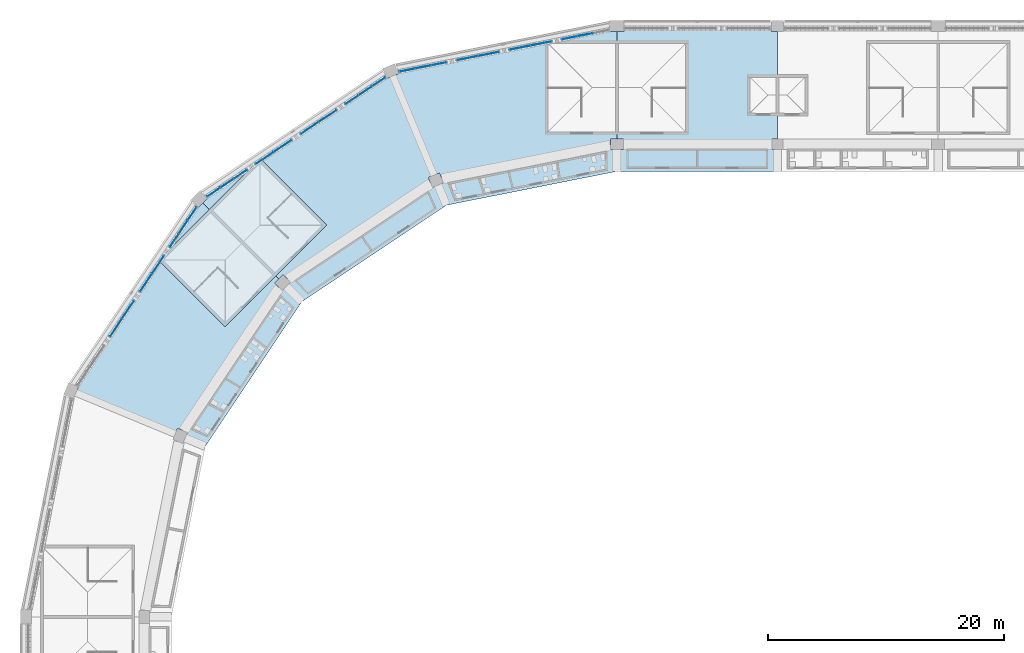
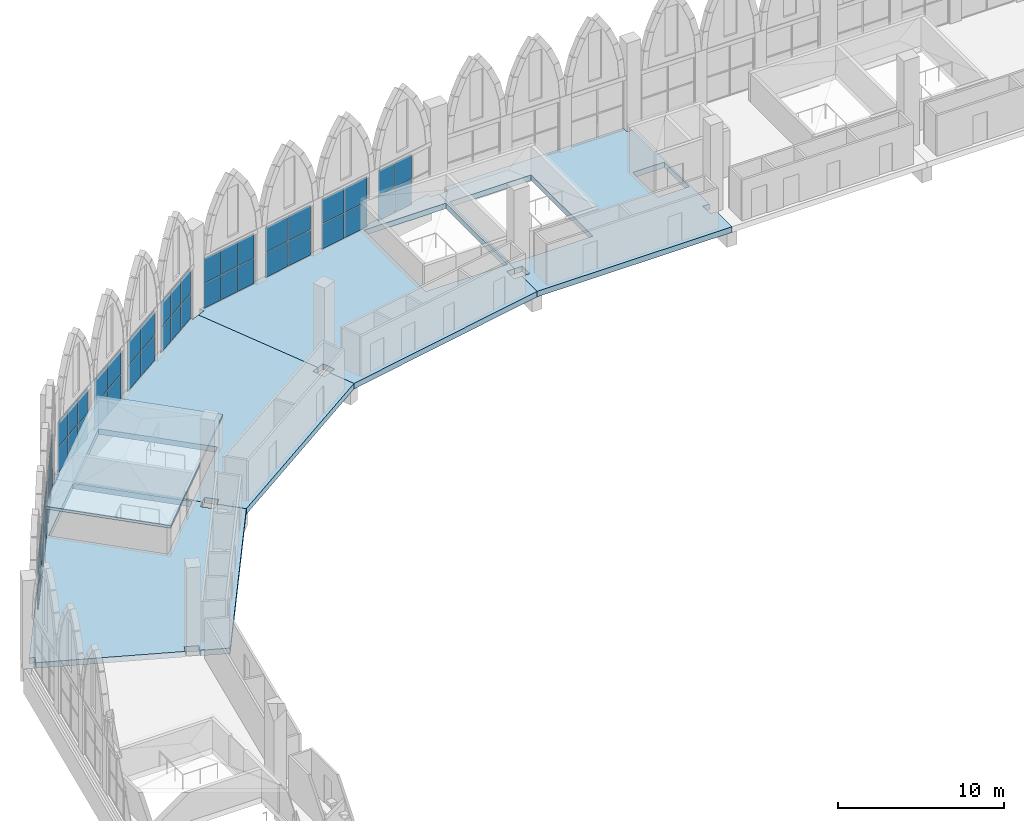
# One storey, part 58 of 130: 52 plates, 5 slabs, 11 elements without a shape of their own.
"""IFC4 building model written with IfcOpenShell, lengths in metres."""

from ifc_helpers import new_model, si_unit, direction, frame, origin, origin_2d, place, context, subcontext, project, spatial, polyline, rectangle, outline, extrude, material, layer, layer_set, type_object, element, aggregate, save


model = new_model("IFC4")

# Units and contexts
model_context = context("Model", 3, precision=1e-05, world=origin(), true_north=direction((0.0, 1.0)))
body_context = subcontext(model_context, "Body", "Model", "MODEL_VIEW")
ifc_project = project(units=[si_unit("LENGTHUNIT", "METRE"), si_unit("AREAUNIT", "SQUARE_METRE"), si_unit("VOLUMEUNIT", "CUBIC_METRE"), si_unit("PLANEANGLEUNIT", "RADIAN"), si_unit("MASSUNIT", "GRAM", prefix="KILO")], contexts=[model_context])

# Site, building, storey
site_placement = place(None, origin())
site = spatial("IfcSite", under=ifc_project, at=site_placement, CompositionType="ELEMENT")
building_placement = place(site_placement, origin())
building = spatial("IfcBuilding", under=site, at=building_placement, Name="Ogive Plaza Stadium", CompositionType="ELEMENT")
storey_placement = place(building_placement, frame((0.0, 0.0, 22.5)))
storey = spatial("IfcBuildingStorey", under=building, at=storey_placement, Name="L05", CompositionType="ELEMENT", Elevation=22.5)

# Slab
ifc_material_1 = material(Name="Concrete C40/50", Category="concrete")
ifc_layer_1 = layer(ifc_material_1, 0.199951171875)
ifc_layer_set_1 = layer_set([ifc_layer_1], Name="Concrete C40/50")
slab_type_1 = type_object("IfcSlabType", Name="Core roof slab", PredefinedType="ROOF", material=ifc_layer_set_1)
slab_1_placement = place(storey_placement, frame((0.0, 0.0, 2.10009765625)))
element("IfcSlab", 1, at=slab_1_placement, inside=storey, type_object=slab_type_1, Name="Stair core R30 roof", PredefinedType="ROOF", context=body_context, shape_type="SweptSolid", body=[
    extrude(outline(polyline([(-58.55419921875, 85.645751953125), (-64.182861328125, 91.274169921875), (-72.774169921875, 82.682861328125), (-67.145751953125, 77.05419921875), (-58.55419921875, 85.645751953125)])), origin(), (0.0, 0.0, 1.0), 0.199951171875),
])

# Curtain wall, plates
ifc_material_2 = material(Name="Bronze-anodised aluminium with laminated glass", Category="aluminium")
curtain_wall_type = type_object("IfcCurtainWallType", Name="Lancet curtain wall", PredefinedType="NOTDEFINED", material=ifc_material_2)
curtain_wall_1_placement = place(storey_placement, origin())
curtain_wall_1 = element("IfcCurtainWall", 2, at=curtain_wall_1_placement, inside=storey, type_object=curtain_wall_type, Name="CURTAIN WALL B29 L05", PredefinedType="NOTDEFINED")
ifc_material_3 = material(Name="Laminated glass", Category="glass")
ifc_layer_2 = layer(ifc_material_3, 0.028076171875)
ifc_layer_set_2 = layer_set([ifc_layer_2], Name="Laminated glass panel 28")
plate_type = type_object("IfcPlateType", Name="Laminated glass panel 28", PredefinedType="CURTAIN_PANEL", material=ifc_layer_set_2)
plate_1_placement = place(storey_placement, frame((-76.38916015625, 76.968505859375, 0.0498046875), z_axis=(0.0, 0.0, 1.0), x_axis=(0.555570233237, 0.831469612157, 0.0)))
plate_1 = element("IfcPlate", 3, at=plate_1_placement, type_object=plate_type, Name="CW-B29-L05.2 panel 1.1", PredefinedType="CURTAIN_PANEL", context=body_context, shape_type="SweptSolid", body=[
    extrude(rectangle(XDim=1.803466796875, YDim=0.028076171875, at=origin_2d()), origin(), (0.0, 0.0, 1.0), 1.824951171875),
])
plate_2_placement = place(storey_placement, frame((-76.38916015625, 76.968505859375, 1.9248046875), z_axis=(0.0, 0.0, 1.0), x_axis=(0.555570233237, 0.831469612157, 0.0)))
plate_2 = element("IfcPlate", 4, at=plate_2_placement, type_object=plate_type, Name="CW-B29-L05.2 panel 1.2", PredefinedType="CURTAIN_PANEL", context=body_context, shape_type="SweptSolid", body=[
    extrude(rectangle(XDim=1.803466796875, YDim=0.028076171875, at=origin_2d()), origin(), (0.0, 0.0, 1.0), 1.824951171875),
])
plate_3_placement = place(storey_placement, frame((-75.359375, 78.509765625, 0.0498046875), z_axis=(0.0, 0.0, 1.0), x_axis=(0.555570233237, 0.831469612157, 0.0)))
plate_3 = element("IfcPlate", 5, at=plate_3_placement, type_object=plate_type, Name="CW-B29-L05.2 panel 2.1", PredefinedType="CURTAIN_PANEL", context=body_context, shape_type="SweptSolid", body=[
    extrude(rectangle(XDim=1.803466796875, YDim=0.028076171875, at=origin_2d()), origin(), (0.0, 0.0, 1.0), 1.824951171875),
])
plate_4_placement = place(storey_placement, frame((-75.359375, 78.509765625, 1.9248046875), z_axis=(0.0, 0.0, 1.0), x_axis=(0.555570233237, 0.831469612157, 0.0)))
plate_4 = element("IfcPlate", 6, at=plate_4_placement, type_object=plate_type, Name="CW-B29-L05.2 panel 2.2", PredefinedType="CURTAIN_PANEL", context=body_context, shape_type="SweptSolid", body=[
    extrude(rectangle(XDim=1.803466796875, YDim=0.028076171875, at=origin_2d()), origin(), (0.0, 0.0, 1.0), 1.824951171875),
])
aggregate(curtain_wall_1, [plate_1, plate_2, plate_3, plate_4])

curtain_wall_2_placement = place(storey_placement, origin())
curtain_wall_2 = element("IfcCurtainWall", 7, at=curtain_wall_2_placement, inside=storey, type_object=curtain_wall_type, Name="CURTAIN WALL B29 L05", PredefinedType="NOTDEFINED")
plate_5_placement = place(storey_placement, frame((-73.857421875, 80.757568359375, 0.0498046875), z_axis=(0.0, 0.0, 1.0), x_axis=(0.555570233121, 0.831469612235, 0.0)))
plate_5 = element("IfcPlate", 8, at=plate_5_placement, type_object=plate_type, Name="CW-B29-L05.3 panel 1.1", PredefinedType="CURTAIN_PANEL", context=body_context, shape_type="SweptSolid", body=[
    extrude(rectangle(XDim=1.803466796875, YDim=0.028076171875, at=origin_2d()), origin(), (0.0, 0.0, 1.0), 1.824951171875),
])
plate_6_placement = place(storey_placement, frame((-73.857421875, 80.757568359375, 1.9248046875), z_axis=(0.0, 0.0, 1.0), x_axis=(0.555570233121, 0.831469612235, 0.0)))
plate_6 = element("IfcPlate", 9, at=plate_6_placement, type_object=plate_type, Name="CW-B29-L05.3 panel 1.2", PredefinedType="CURTAIN_PANEL", context=body_context, shape_type="SweptSolid", body=[
    extrude(rectangle(XDim=1.803466796875, YDim=0.028076171875, at=origin_2d()), origin(), (0.0, 0.0, 1.0), 1.824951171875),
])
plate_7_placement = place(storey_placement, frame((-72.82763671875, 82.298828125, 0.0498046875), z_axis=(0.0, 0.0, 1.0), x_axis=(0.555570233121, 0.831469612235, 0.0)))
plate_7 = element("IfcPlate", 10, at=plate_7_placement, type_object=plate_type, Name="CW-B29-L05.3 panel 2.1", PredefinedType="CURTAIN_PANEL", context=body_context, shape_type="SweptSolid", body=[
    extrude(rectangle(XDim=1.803466796875, YDim=0.028076171875, at=origin_2d()), origin(), (0.0, 0.0, 1.0), 1.824951171875),
])
plate_8_placement = place(storey_placement, frame((-72.82763671875, 82.298828125, 1.9248046875), z_axis=(0.0, 0.0, 1.0), x_axis=(0.555570233121, 0.831469612235, 0.0)))
plate_8 = element("IfcPlate", 11, at=plate_8_placement, type_object=plate_type, Name="CW-B29-L05.3 panel 2.2", PredefinedType="CURTAIN_PANEL", context=body_context, shape_type="SweptSolid", body=[
    extrude(rectangle(XDim=1.803466796875, YDim=0.028076171875, at=origin_2d()), origin(), (0.0, 0.0, 1.0), 1.824951171875),
])
aggregate(curtain_wall_2, [plate_5, plate_6, plate_7, plate_8])

curtain_wall_3_placement = place(storey_placement, origin())
curtain_wall_3 = element("IfcCurtainWall", 12, at=curtain_wall_3_placement, inside=storey, type_object=curtain_wall_type, Name="CURTAIN WALL B29 L05", PredefinedType="NOTDEFINED")
plate_9_placement = place(storey_placement, frame((-71.46240234375, 84.341796875, 0.0498046875), z_axis=(0.0, 0.0, 1.0), x_axis=(0.555570233005, 0.831469612312, 0.0)))
plate_9 = element("IfcPlate", 13, at=plate_9_placement, type_object=plate_type, Name="CW-B29-L05.4 panel 1.1", PredefinedType="CURTAIN_PANEL", context=body_context, shape_type="SweptSolid", body=[
    extrude(rectangle(XDim=1.310791015625, YDim=0.028076171875, at=origin_2d()), origin(), (0.0, 0.0, 1.0), 1.824951171875),
])
plate_10_placement = place(storey_placement, frame((-71.46240234375, 84.341796875, 1.9248046875), z_axis=(0.0, 0.0, 1.0), x_axis=(0.555570233005, 0.831469612312, 0.0)))
plate_10 = element("IfcPlate", 14, at=plate_10_placement, type_object=plate_type, Name="CW-B29-L05.4 panel 1.2", PredefinedType="CURTAIN_PANEL", context=body_context, shape_type="SweptSolid", body=[
    extrude(rectangle(XDim=1.310791015625, YDim=0.028076171875, at=origin_2d()), origin(), (0.0, 0.0, 1.0), 1.824951171875),
])
plate_11_placement = place(storey_placement, frame((-70.699462890625, 85.483642578125, 0.0498046875), z_axis=(0.0, 0.0, 1.0), x_axis=(0.555570233005, 0.831469612312, 0.0)))
plate_11 = element("IfcPlate", 15, at=plate_11_placement, type_object=plate_type, Name="CW-B29-L05.4 panel 2.1", PredefinedType="CURTAIN_PANEL", context=body_context, shape_type="SweptSolid", body=[
    extrude(rectangle(XDim=1.335693359375, YDim=0.028076171875, at=origin_2d()), origin(), (0.0, 0.0, 1.0), 1.824951171875),
])
plate_12_placement = place(storey_placement, frame((-70.699462890625, 85.483642578125, 1.9248046875), z_axis=(0.0, 0.0, 1.0), x_axis=(0.555570233005, 0.831469612312, 0.0)))
plate_12 = element("IfcPlate", 16, at=plate_12_placement, type_object=plate_type, Name="CW-B29-L05.4 panel 2.2", PredefinedType="CURTAIN_PANEL", context=body_context, shape_type="SweptSolid", body=[
    extrude(rectangle(XDim=1.335693359375, YDim=0.028076171875, at=origin_2d()), origin(), (0.0, 0.0, 1.0), 1.824951171875),
])
plate_13_placement = place(storey_placement, frame((-69.936767578125, 86.625244140625, 0.0498046875), z_axis=(0.0, 0.0, 1.0), x_axis=(0.555570233005, 0.831469612312, 0.0)))
plate_13 = element("IfcPlate", 17, at=plate_13_placement, type_object=plate_type, Name="CW-B29-L05.4 panel 3.1", PredefinedType="CURTAIN_PANEL", context=body_context, shape_type="SweptSolid", body=[
    extrude(rectangle(XDim=1.310791015625, YDim=0.028076171875, at=origin_2d()), origin(), (0.0, 0.0, 1.0), 1.824951171875),
])
plate_14_placement = place(storey_placement, frame((-69.936767578125, 86.625244140625, 1.9248046875), z_axis=(0.0, 0.0, 1.0), x_axis=(0.555570233005, 0.831469612312, 0.0)))
plate_14 = element("IfcPlate", 18, at=plate_14_placement, type_object=plate_type, Name="CW-B29-L05.4 panel 3.2", PredefinedType="CURTAIN_PANEL", context=body_context, shape_type="SweptSolid", body=[
    extrude(rectangle(XDim=1.310791015625, YDim=0.028076171875, at=origin_2d()), origin(), (0.0, 0.0, 1.0), 1.824951171875),
])
aggregate(curtain_wall_3, [plate_9, plate_10, plate_11, plate_12, plate_13, plate_14])

curtain_wall_4_placement = place(storey_placement, origin())
curtain_wall_4 = element("IfcCurtainWall", 19, at=curtain_wall_4_placement, inside=storey, type_object=curtain_wall_type, Name="CURTAIN WALL B30 L05", PredefinedType="NOTDEFINED")
plate_15_placement = place(storey_placement, frame((-68.125244140625, 88.436767578125, 0.0498046875), z_axis=(0.0, 0.0, 1.0), x_axis=(0.831469612312, 0.555570233005, 0.0)))
plate_15 = element("IfcPlate", 20, at=plate_15_placement, type_object=plate_type, Name="CW-B30-L05.1 panel 1.1", PredefinedType="CURTAIN_PANEL", context=body_context, shape_type="SweptSolid", body=[
    extrude(rectangle(XDim=1.310791015625, YDim=0.028076171875, at=origin_2d()), origin(), (0.0, 0.0, 1.0), 1.824951171875),
])
plate_16_placement = place(storey_placement, frame((-68.125244140625, 88.436767578125, 1.9248046875), z_axis=(0.0, 0.0, 1.0), x_axis=(0.831469612312, 0.555570233005, 0.0)))
plate_16 = element("IfcPlate", 21, at=plate_16_placement, type_object=plate_type, Name="CW-B30-L05.1 panel 1.2", PredefinedType="CURTAIN_PANEL", context=body_context, shape_type="SweptSolid", body=[
    extrude(rectangle(XDim=1.310791015625, YDim=0.028076171875, at=origin_2d()), origin(), (0.0, 0.0, 1.0), 1.824951171875),
])
plate_17_placement = place(storey_placement, frame((-66.983642578125, 89.199462890625, 0.0498046875), z_axis=(0.0, 0.0, 1.0), x_axis=(0.831469612312, 0.555570233005, 0.0)))
plate_17 = element("IfcPlate", 22, at=plate_17_placement, type_object=plate_type, Name="CW-B30-L05.1 panel 2.1", PredefinedType="CURTAIN_PANEL", context=body_context, shape_type="SweptSolid", body=[
    extrude(rectangle(XDim=1.335693359375, YDim=0.028076171875, at=origin_2d()), origin(), (0.0, 0.0, 1.0), 1.824951171875),
])
plate_18_placement = place(storey_placement, frame((-66.983642578125, 89.199462890625, 1.9248046875), z_axis=(0.0, 0.0, 1.0), x_axis=(0.831469612312, 0.555570233005, 0.0)))
plate_18 = element("IfcPlate", 23, at=plate_18_placement, type_object=plate_type, Name="CW-B30-L05.1 panel 2.2", PredefinedType="CURTAIN_PANEL", context=body_context, shape_type="SweptSolid", body=[
    extrude(rectangle(XDim=1.335693359375, YDim=0.028076171875, at=origin_2d()), origin(), (0.0, 0.0, 1.0), 1.824951171875),
])
plate_19_placement = place(storey_placement, frame((-65.841796875, 89.96240234375, 0.0498046875), z_axis=(0.0, 0.0, 1.0), x_axis=(0.831469612312, 0.555570233005, 0.0)))
plate_19 = element("IfcPlate", 24, at=plate_19_placement, type_object=plate_type, Name="CW-B30-L05.1 panel 3.1", PredefinedType="CURTAIN_PANEL", context=body_context, shape_type="SweptSolid", body=[
    extrude(rectangle(XDim=1.310791015625, YDim=0.028076171875, at=origin_2d()), origin(), (0.0, 0.0, 1.0), 1.824951171875),
])
plate_20_placement = place(storey_placement, frame((-65.841796875, 89.96240234375, 1.9248046875), z_axis=(0.0, 0.0, 1.0), x_axis=(0.831469612312, 0.555570233005, 0.0)))
plate_20 = element("IfcPlate", 25, at=plate_20_placement, type_object=plate_type, Name="CW-B30-L05.1 panel 3.2", PredefinedType="CURTAIN_PANEL", context=body_context, shape_type="SweptSolid", body=[
    extrude(rectangle(XDim=1.310791015625, YDim=0.028076171875, at=origin_2d()), origin(), (0.0, 0.0, 1.0), 1.824951171875),
])
aggregate(curtain_wall_4, [plate_15, plate_16, plate_17, plate_18, plate_19, plate_20])

curtain_wall_5_placement = place(storey_placement, origin())
curtain_wall_5 = element("IfcCurtainWall", 26, at=curtain_wall_5_placement, inside=storey, type_object=curtain_wall_type, Name="CURTAIN WALL B30 L05", PredefinedType="NOTDEFINED")
plate_21_placement = place(storey_placement, frame((-63.798828125, 91.32763671875, 0.0498046875), z_axis=(0.0, 0.0, 1.0), x_axis=(0.831469612235, 0.555570233121, 0.0)))
plate_21 = element("IfcPlate", 27, at=plate_21_placement, type_object=plate_type, Name="CW-B30-L05.2 panel 1.1", PredefinedType="CURTAIN_PANEL", context=body_context, shape_type="SweptSolid", body=[
    extrude(rectangle(XDim=1.803466796875, YDim=0.028076171875, at=origin_2d()), origin(), (0.0, 0.0, 1.0), 1.824951171875),
])
plate_22_placement = place(storey_placement, frame((-63.798828125, 91.32763671875, 1.9248046875), z_axis=(0.0, 0.0, 1.0), x_axis=(0.831469612235, 0.555570233121, 0.0)))
plate_22 = element("IfcPlate", 28, at=plate_22_placement, type_object=plate_type, Name="CW-B30-L05.2 panel 1.2", PredefinedType="CURTAIN_PANEL", context=body_context, shape_type="SweptSolid", body=[
    extrude(rectangle(XDim=1.803466796875, YDim=0.028076171875, at=origin_2d()), origin(), (0.0, 0.0, 1.0), 1.824951171875),
])
plate_23_placement = place(storey_placement, frame((-62.257568359375, 92.357421875, 0.0498046875), z_axis=(0.0, 0.0, 1.0), x_axis=(0.831469612235, 0.555570233121, 0.0)))
plate_23 = element("IfcPlate", 29, at=plate_23_placement, type_object=plate_type, Name="CW-B30-L05.2 panel 2.1", PredefinedType="CURTAIN_PANEL", context=body_context, shape_type="SweptSolid", body=[
    extrude(rectangle(XDim=1.803466796875, YDim=0.028076171875, at=origin_2d()), origin(), (0.0, 0.0, 1.0), 1.824951171875),
])
plate_24_placement = place(storey_placement, frame((-62.257568359375, 92.357421875, 1.9248046875), z_axis=(0.0, 0.0, 1.0), x_axis=(0.831469612235, 0.555570233121, 0.0)))
plate_24 = element("IfcPlate", 30, at=plate_24_placement, type_object=plate_type, Name="CW-B30-L05.2 panel 2.2", PredefinedType="CURTAIN_PANEL", context=body_context, shape_type="SweptSolid", body=[
    extrude(rectangle(XDim=1.803466796875, YDim=0.028076171875, at=origin_2d()), origin(), (0.0, 0.0, 1.0), 1.824951171875),
])
aggregate(curtain_wall_5, [plate_21, plate_22, plate_23, plate_24])

curtain_wall_6_placement = place(storey_placement, origin())
curtain_wall_6 = element("IfcCurtainWall", 31, at=curtain_wall_6_placement, inside=storey, type_object=curtain_wall_type, Name="CURTAIN WALL B30 L05", PredefinedType="NOTDEFINED")
plate_25_placement = place(storey_placement, frame((-60.009765625, 93.859375, 0.0498046875), z_axis=(0.0, 0.0, 1.0), x_axis=(0.831469612157, 0.555570233237, 0.0)))
plate_25 = element("IfcPlate", 32, at=plate_25_placement, type_object=plate_type, Name="CW-B30-L05.3 panel 1.1", PredefinedType="CURTAIN_PANEL", context=body_context, shape_type="SweptSolid", body=[
    extrude(rectangle(XDim=1.803466796875, YDim=0.028076171875, at=origin_2d()), origin(), (0.0, 0.0, 1.0), 1.824951171875),
])
plate_26_placement = place(storey_placement, frame((-60.009765625, 93.859375, 1.9248046875), z_axis=(0.0, 0.0, 1.0), x_axis=(0.831469612157, 0.555570233237, 0.0)))
plate_26 = element("IfcPlate", 33, at=plate_26_placement, type_object=plate_type, Name="CW-B30-L05.3 panel 1.2", PredefinedType="CURTAIN_PANEL", context=body_context, shape_type="SweptSolid", body=[
    extrude(rectangle(XDim=1.803466796875, YDim=0.028076171875, at=origin_2d()), origin(), (0.0, 0.0, 1.0), 1.824951171875),
])
plate_27_placement = place(storey_placement, frame((-58.468505859375, 94.88916015625, 0.0498046875), z_axis=(0.0, 0.0, 1.0), x_axis=(0.831469612157, 0.555570233237, 0.0)))
plate_27 = element("IfcPlate", 34, at=plate_27_placement, type_object=plate_type, Name="CW-B30-L05.3 panel 2.1", PredefinedType="CURTAIN_PANEL", context=body_context, shape_type="SweptSolid", body=[
    extrude(rectangle(XDim=1.803466796875, YDim=0.028076171875, at=origin_2d()), origin(), (0.0, 0.0, 1.0), 1.824951171875),
])
plate_28_placement = place(storey_placement, frame((-58.468505859375, 94.88916015625, 1.9248046875), z_axis=(0.0, 0.0, 1.0), x_axis=(0.831469612157, 0.555570233237, 0.0)))
plate_28 = element("IfcPlate", 35, at=plate_28_placement, type_object=plate_type, Name="CW-B30-L05.3 panel 2.2", PredefinedType="CURTAIN_PANEL", context=body_context, shape_type="SweptSolid", body=[
    extrude(rectangle(XDim=1.803466796875, YDim=0.028076171875, at=origin_2d()), origin(), (0.0, 0.0, 1.0), 1.824951171875),
])
aggregate(curtain_wall_6, [plate_25, plate_26, plate_27, plate_28])

curtain_wall_7_placement = place(storey_placement, origin())
curtain_wall_7 = element("IfcCurtainWall", 36, at=curtain_wall_7_placement, inside=storey, type_object=curtain_wall_type, Name="CURTAIN WALL B30 L05", PredefinedType="NOTDEFINED")
plate_29_placement = place(storey_placement, frame((-56.425537109375, 96.254150390625, 0.0498046875), z_axis=(0.0, 0.0, 1.0), x_axis=(0.83146961239, 0.555570232889, 0.0)))
plate_29 = element("IfcPlate", 37, at=plate_29_placement, type_object=plate_type, Name="CW-B30-L05.4 panel 1.1", PredefinedType="CURTAIN_PANEL", context=body_context, shape_type="SweptSolid", body=[
    extrude(rectangle(XDim=1.310791015625, YDim=0.028076171875, at=origin_2d()), origin(), (0.0, 0.0, 1.0), 1.824951171875),
])
plate_30_placement = place(storey_placement, frame((-56.425537109375, 96.254150390625, 1.9248046875), z_axis=(0.0, 0.0, 1.0), x_axis=(0.83146961239, 0.555570232889, 0.0)))
plate_30 = element("IfcPlate", 38, at=plate_30_placement, type_object=plate_type, Name="CW-B30-L05.4 panel 1.2", PredefinedType="CURTAIN_PANEL", context=body_context, shape_type="SweptSolid", body=[
    extrude(rectangle(XDim=1.310791015625, YDim=0.028076171875, at=origin_2d()), origin(), (0.0, 0.0, 1.0), 1.824951171875),
])
plate_31_placement = place(storey_placement, frame((-55.28369140625, 97.01708984375, 0.0498046875), z_axis=(0.0, 0.0, 1.0), x_axis=(0.83146961239, 0.555570232889, 0.0)))
plate_31 = element("IfcPlate", 39, at=plate_31_placement, type_object=plate_type, Name="CW-B30-L05.4 panel 2.1", PredefinedType="CURTAIN_PANEL", context=body_context, shape_type="SweptSolid", body=[
    extrude(rectangle(XDim=1.335693359375, YDim=0.028076171875, at=origin_2d()), origin(), (0.0, 0.0, 1.0), 1.824951171875),
])
plate_32_placement = place(storey_placement, frame((-55.28369140625, 97.01708984375, 1.9248046875), z_axis=(0.0, 0.0, 1.0), x_axis=(0.83146961239, 0.555570232889, 0.0)))
plate_32 = element("IfcPlate", 40, at=plate_32_placement, type_object=plate_type, Name="CW-B30-L05.4 panel 2.2", PredefinedType="CURTAIN_PANEL", context=body_context, shape_type="SweptSolid", body=[
    extrude(rectangle(XDim=1.335693359375, YDim=0.028076171875, at=origin_2d()), origin(), (0.0, 0.0, 1.0), 1.824951171875),
])
plate_33_placement = place(storey_placement, frame((-54.141845703125, 97.780029296875, 0.0498046875), z_axis=(0.0, 0.0, 1.0), x_axis=(0.83146961239, 0.555570232889, 0.0)))
plate_33 = element("IfcPlate", 41, at=plate_33_placement, type_object=plate_type, Name="CW-B30-L05.4 panel 3.1", PredefinedType="CURTAIN_PANEL", context=body_context, shape_type="SweptSolid", body=[
    extrude(rectangle(XDim=1.310791015625, YDim=0.028076171875, at=origin_2d()), origin(), (0.0, 0.0, 1.0), 1.824951171875),
])
plate_34_placement = place(storey_placement, frame((-54.141845703125, 97.780029296875, 1.9248046875), z_axis=(0.0, 0.0, 1.0), x_axis=(0.83146961239, 0.555570232889, 0.0)))
plate_34 = element("IfcPlate", 42, at=plate_34_placement, type_object=plate_type, Name="CW-B30-L05.4 panel 3.2", PredefinedType="CURTAIN_PANEL", context=body_context, shape_type="SweptSolid", body=[
    extrude(rectangle(XDim=1.310791015625, YDim=0.028076171875, at=origin_2d()), origin(), (0.0, 0.0, 1.0), 1.824951171875),
])
aggregate(curtain_wall_7, [plate_29, plate_30, plate_31, plate_32, plate_33, plate_34])

curtain_wall_8_placement = place(storey_placement, origin())
curtain_wall_8 = element("IfcCurtainWall", 43, at=curtain_wall_8_placement, inside=storey, type_object=curtain_wall_type, Name="CURTAIN WALL B31 L05", PredefinedType="NOTDEFINED")
plate_35_placement = place(storey_placement, frame((-51.7294921875, 98.76953125, 0.0498046875), z_axis=(0.0, 0.0, 1.0), x_axis=(0.980785280403, 0.195090322016, 0.0)))
plate_35 = element("IfcPlate", 44, at=plate_35_placement, type_object=plate_type, Name="CW-B31-L05.1 panel 1.1", PredefinedType="CURTAIN_PANEL", context=body_context, shape_type="SweptSolid", body=[
    extrude(rectangle(XDim=1.30224609375, YDim=0.028076171875, at=origin_2d()), origin(), (0.0, 0.0, 1.0), 1.824951171875),
])
plate_36_placement = place(storey_placement, frame((-51.7294921875, 98.76953125, 1.9248046875), z_axis=(0.0, 0.0, 1.0), x_axis=(0.980785280403, 0.195090322016, 0.0)))
plate_36 = element("IfcPlate", 45, at=plate_36_placement, type_object=plate_type, Name="CW-B31-L05.1 panel 1.2", PredefinedType="CURTAIN_PANEL", context=body_context, shape_type="SweptSolid", body=[
    extrude(rectangle(XDim=1.30224609375, YDim=0.028076171875, at=origin_2d()), origin(), (0.0, 0.0, 1.0), 1.824951171875),
])
plate_37_placement = place(storey_placement, frame((-50.39111328125, 99.03564453125, 0.0498046875), z_axis=(0.0, 0.0, 1.0), x_axis=(0.980785280403, 0.195090322016, 0.0)))
plate_37 = element("IfcPlate", 46, at=plate_37_placement, type_object=plate_type, Name="CW-B31-L05.1 panel 2.1", PredefinedType="CURTAIN_PANEL", context=body_context, shape_type="SweptSolid", body=[
    extrude(rectangle(XDim=1.3271484375, YDim=0.028076171875, at=origin_2d()), origin(), (0.0, 0.0, 1.0), 1.824951171875),
])
plate_38_placement = place(storey_placement, frame((-50.39111328125, 99.03564453125, 1.9248046875), z_axis=(0.0, 0.0, 1.0), x_axis=(0.980785280403, 0.195090322016, 0.0)))
plate_38 = element("IfcPlate", 47, at=plate_38_placement, type_object=plate_type, Name="CW-B31-L05.1 panel 2.2", PredefinedType="CURTAIN_PANEL", context=body_context, shape_type="SweptSolid", body=[
    extrude(rectangle(XDim=1.3271484375, YDim=0.028076171875, at=origin_2d()), origin(), (0.0, 0.0, 1.0), 1.824951171875),
])
plate_39_placement = place(storey_placement, frame((-49.052490234375, 99.302001953125, 0.0498046875), z_axis=(0.0, 0.0, 1.0), x_axis=(0.980785280403, 0.195090322016, 0.0)))
plate_39 = element("IfcPlate", 48, at=plate_39_placement, type_object=plate_type, Name="CW-B31-L05.1 panel 3.1", PredefinedType="CURTAIN_PANEL", context=body_context, shape_type="SweptSolid", body=[
    extrude(rectangle(XDim=1.30224609375, YDim=0.028076171875, at=origin_2d()), origin(), (0.0, 0.0, 1.0), 1.824951171875),
])
plate_40_placement = place(storey_placement, frame((-49.052490234375, 99.302001953125, 1.9248046875), z_axis=(0.0, 0.0, 1.0), x_axis=(0.980785280403, 0.195090322016, 0.0)))
plate_40 = element("IfcPlate", 49, at=plate_40_placement, type_object=plate_type, Name="CW-B31-L05.1 panel 3.2", PredefinedType="CURTAIN_PANEL", context=body_context, shape_type="SweptSolid", body=[
    extrude(rectangle(XDim=1.30224609375, YDim=0.028076171875, at=origin_2d()), origin(), (0.0, 0.0, 1.0), 1.824951171875),
])
aggregate(curtain_wall_8, [plate_35, plate_36, plate_37, plate_38, plate_39, plate_40])

curtain_wall_9_placement = place(storey_placement, origin())
curtain_wall_9 = element("IfcCurtainWall", 50, at=curtain_wall_9_placement, inside=storey, type_object=curtain_wall_type, Name="CURTAIN WALL B31 L05", PredefinedType="NOTDEFINED")
plate_41_placement = place(storey_placement, frame((-46.653076171875, 99.779296875, 0.0498046875), z_axis=(0.0, 0.0, 1.0), x_axis=(0.980785280417, 0.195090321948, 0.0)))
plate_41 = element("IfcPlate", 51, at=plate_41_placement, type_object=plate_type, Name="CW-B31-L05.2 panel 1.1", PredefinedType="CURTAIN_PANEL", context=body_context, shape_type="SweptSolid", body=[
    extrude(rectangle(XDim=1.790771484375, YDim=0.028076171875, at=origin_2d()), origin(), (0.0, 0.0, 1.0), 1.824951171875),
])
plate_42_placement = place(storey_placement, frame((-46.653076171875, 99.779296875, 1.9248046875), z_axis=(0.0, 0.0, 1.0), x_axis=(0.980785280417, 0.195090321948, 0.0)))
plate_42 = element("IfcPlate", 52, at=plate_42_placement, type_object=plate_type, Name="CW-B31-L05.2 panel 1.2", PredefinedType="CURTAIN_PANEL", context=body_context, shape_type="SweptSolid", body=[
    extrude(rectangle(XDim=1.790771484375, YDim=0.028076171875, at=origin_2d()), origin(), (0.0, 0.0, 1.0), 1.824951171875),
])
plate_43_placement = place(storey_placement, frame((-44.84765625, 100.138427734375, 0.0498046875), z_axis=(0.0, 0.0, 1.0), x_axis=(0.980785280417, 0.195090321948, 0.0)))
plate_43 = element("IfcPlate", 53, at=plate_43_placement, type_object=plate_type, Name="CW-B31-L05.2 panel 2.1", PredefinedType="CURTAIN_PANEL", context=body_context, shape_type="SweptSolid", body=[
    extrude(rectangle(XDim=1.790771484375, YDim=0.028076171875, at=origin_2d()), origin(), (0.0, 0.0, 1.0), 1.824951171875),
])
plate_44_placement = place(storey_placement, frame((-44.84765625, 100.138427734375, 1.9248046875), z_axis=(0.0, 0.0, 1.0), x_axis=(0.980785280417, 0.195090321948, 0.0)))
plate_44 = element("IfcPlate", 54, at=plate_44_placement, type_object=plate_type, Name="CW-B31-L05.2 panel 2.2", PredefinedType="CURTAIN_PANEL", context=body_context, shape_type="SweptSolid", body=[
    extrude(rectangle(XDim=1.790771484375, YDim=0.028076171875, at=origin_2d()), origin(), (0.0, 0.0, 1.0), 1.824951171875),
])
aggregate(curtain_wall_9, [plate_41, plate_42, plate_43, plate_44])

curtain_wall_10_placement = place(storey_placement, origin())
curtain_wall_10 = element("IfcCurtainWall", 55, at=curtain_wall_10_placement, inside=storey, type_object=curtain_wall_type, Name="CURTAIN WALL B31 L05", PredefinedType="NOTDEFINED")
plate_45_placement = place(storey_placement, frame((-42.20849609375, 100.663330078125, 0.0498046875), z_axis=(0.0, 0.0, 1.0), x_axis=(0.980785280417, 0.195090321948, 0.0)))
plate_45 = element("IfcPlate", 56, at=plate_45_placement, type_object=plate_type, Name="CW-B31-L05.3 panel 1.1", PredefinedType="CURTAIN_PANEL", context=body_context, shape_type="SweptSolid", body=[
    extrude(rectangle(XDim=1.790771484375, YDim=0.028076171875, at=origin_2d()), origin(), (0.0, 0.0, 1.0), 1.824951171875),
])
plate_46_placement = place(storey_placement, frame((-42.20849609375, 100.663330078125, 1.9248046875), z_axis=(0.0, 0.0, 1.0), x_axis=(0.980785280417, 0.195090321948, 0.0)))
plate_46 = element("IfcPlate", 57, at=plate_46_placement, type_object=plate_type, Name="CW-B31-L05.3 panel 1.2", PredefinedType="CURTAIN_PANEL", context=body_context, shape_type="SweptSolid", body=[
    extrude(rectangle(XDim=1.790771484375, YDim=0.028076171875, at=origin_2d()), origin(), (0.0, 0.0, 1.0), 1.824951171875),
])
plate_47_placement = place(storey_placement, frame((-40.403076171875, 101.0224609375, 0.0498046875), z_axis=(0.0, 0.0, 1.0), x_axis=(0.980785280417, 0.195090321948, 0.0)))
plate_47 = element("IfcPlate", 58, at=plate_47_placement, type_object=plate_type, Name="CW-B31-L05.3 panel 2.1", PredefinedType="CURTAIN_PANEL", context=body_context, shape_type="SweptSolid", body=[
    extrude(rectangle(XDim=1.790771484375, YDim=0.028076171875, at=origin_2d()), origin(), (0.0, 0.0, 1.0), 1.824951171875),
])
plate_48_placement = place(storey_placement, frame((-40.403076171875, 101.0224609375, 1.9248046875), z_axis=(0.0, 0.0, 1.0), x_axis=(0.980785280417, 0.195090321948, 0.0)))
plate_48 = element("IfcPlate", 59, at=plate_48_placement, type_object=plate_type, Name="CW-B31-L05.3 panel 2.2", PredefinedType="CURTAIN_PANEL", context=body_context, shape_type="SweptSolid", body=[
    extrude(rectangle(XDim=1.790771484375, YDim=0.028076171875, at=origin_2d()), origin(), (0.0, 0.0, 1.0), 1.824951171875),
])
aggregate(curtain_wall_10, [plate_45, plate_46, plate_47, plate_48])

curtain_wall_11_placement = place(storey_placement, origin())
curtain_wall_11 = element("IfcCurtainWall", 60, at=curtain_wall_11_placement, inside=storey, type_object=curtain_wall_type, Name="CURTAIN WALL B31 L05", PredefinedType="NOTDEFINED")
plate_49_placement = place(storey_placement, frame((-38.003662109375, 101.499755859375, 0.0498046875), z_axis=(0.0, 0.0, 1.0), x_axis=(0.980785280403, 0.195090322016, 0.0)))
plate_49 = element("IfcPlate", 61, at=plate_49_placement, type_object=plate_type, Name="CW-B31-L05.4 panel 1.1", PredefinedType="CURTAIN_PANEL", context=body_context, shape_type="SweptSolid", body=[
    extrude(rectangle(XDim=1.30224609375, YDim=0.028076171875, at=origin_2d()), origin(), (0.0, 0.0, 1.0), 1.824951171875),
])
plate_50_placement = place(storey_placement, frame((-38.003662109375, 101.499755859375, 1.9248046875), z_axis=(0.0, 0.0, 1.0), x_axis=(0.980785280403, 0.195090322016, 0.0)))
plate_50 = element("IfcPlate", 62, at=plate_50_placement, type_object=plate_type, Name="CW-B31-L05.4 panel 1.2", PredefinedType="CURTAIN_PANEL", context=body_context, shape_type="SweptSolid", body=[
    extrude(rectangle(XDim=1.30224609375, YDim=0.028076171875, at=origin_2d()), origin(), (0.0, 0.0, 1.0), 1.824951171875),
])
plate_51_placement = place(storey_placement, frame((-36.6650390625, 101.765869140625, 0.0498046875), z_axis=(0.0, 0.0, 1.0), x_axis=(0.980785280403, 0.195090322016, 0.0)))
plate_51 = element("IfcPlate", 63, at=plate_51_placement, type_object=plate_type, Name="CW-B31-L05.4 panel 2.1", PredefinedType="CURTAIN_PANEL", context=body_context, shape_type="SweptSolid", body=[
    extrude(rectangle(XDim=1.3271484375, YDim=0.028076171875, at=origin_2d()), origin(), (0.0, 0.0, 1.0), 1.824951171875),
])
plate_52_placement = place(storey_placement, frame((-36.6650390625, 101.765869140625, 1.9248046875), z_axis=(0.0, 0.0, 1.0), x_axis=(0.980785280403, 0.195090322016, 0.0)))
plate_52 = element("IfcPlate", 64, at=plate_52_placement, type_object=plate_type, Name="CW-B31-L05.4 panel 2.2", PredefinedType="CURTAIN_PANEL", context=body_context, shape_type="SweptSolid", body=[
    extrude(rectangle(XDim=1.3271484375, YDim=0.028076171875, at=origin_2d()), origin(), (0.0, 0.0, 1.0), 1.824951171875),
])
aggregate(curtain_wall_11, [plate_49, plate_50, plate_51, plate_52])

# Slabs
ifc_material_4 = material(Name="Concrete C40/50", Category="concrete")
ifc_layer_3 = layer(ifc_material_4, 0.409912109375)
ifc_layer_set_3 = layer_set([ifc_layer_3], Name="Concrete C40/50")
slab_type_2 = type_object("IfcSlabType", Name="RC floor slab 410", PredefinedType="FLOOR", material=ifc_layer_set_3)
slab_2_placement = place(storey_placement, frame((0.0, 0.0, -0.409912109375)))
element("IfcSlab", 65, at=slab_2_placement, inside=storey, type_object=slab_type_2, Name="Floor slab L05 B29", PredefinedType="FLOOR", context=body_context, shape_type="SweptSolid", body=[
    extrude(outline(polyline([(-61.966064453125, 80.466064453125), (-62.319580078125, 80.112548828125), (-62.9560546875, 80.7490234375), (-62.6025390625, 81.1025390625), (-69.037109375, 87.537109375), (-69.426025390625, 87.148193359375), (-69.6669921875, 87.38916015625), (-79.88232421875, 72.100341796875), (-79.56787109375, 71.97021484375), (-79.7783203125, 71.4619140625), (-71.370849609375, 67.9794921875), (-71.1796875, 68.44140625), (-70.34814453125, 68.09716796875), (-70.53955078125, 67.635009765625), (-68.830322265625, 66.92724609375), (-60.657958984375, 79.157958984375), (-61.966064453125, 80.466064453125)]), holes=[polyline([(-67.145751953125, 77.40771484375), (-63.115234375, 81.438232421875), (-68.39013671875, 86.71337890625), (-72.420654296875, 82.682861328125), (-67.145751953125, 77.40771484375)])]), origin(), (0.0, 0.0, 1.0), 0.409912109375),
])
slab_3_placement = place(storey_placement, frame((0.0, 0.0, -0.409912109375)))
element("IfcSlab", 66, at=slab_3_placement, inside=storey, type_object=slab_type_2, Name="Floor slab L05 B30", PredefinedType="FLOOR", context=body_context, shape_type="SweptSolid", body=[
    extrude(outline(polyline([(-49.135009765625, 89.03955078125), (-49.59716796875, 88.84814453125), (-49.94140625, 89.6796875), (-49.4794921875, 89.870849609375), (-52.9619140625, 98.2783203125), (-53.47021484375, 98.06787109375), (-53.600341796875, 98.38232421875), (-68.88916015625, 88.1669921875), (-68.648193359375, 87.926025390625), (-69.037109375, 87.537109375), (-62.6025390625, 81.1025390625), (-62.2490234375, 81.4560546875), (-61.612548828125, 80.819580078125), (-61.966064453125, 80.466064453125), (-60.657958984375, 79.157958984375), (-48.42724609375, 87.330322265625), (-49.135009765625, 89.03955078125)]), holes=[polyline([(-62.938232421875, 81.615234375), (-58.90771484375, 85.645751953125), (-64.182861328125, 90.920654296875), (-68.21337890625, 86.89013671875), (-62.938232421875, 81.615234375)])]), origin(), (0.0, 0.0, 1.0), 0.409912109375),
])
slab_4_placement = place(storey_placement, frame((0.0, 0.0, -0.409912109375)))
element("IfcSlab", 67, at=slab_4_placement, inside=storey, type_object=slab_type_2, Name="Floor slab L05 B31", PredefinedType="FLOOR", context=body_context, shape_type="SweptSolid", body=[
    extrude(outline(polyline([(-34.0, 92.050048828125), (-34.550048828125, 92.050048828125), (-34.550048828125, 92.949951171875), (-34.0, 92.949951171875), (-34.0, 102.050048828125), (-34.60009765625, 102.050048828125), (-34.60009765625, 102.380615234375), (-52.584228515625, 98.803466796875), (-52.453857421875, 98.48876953125), (-52.9619140625, 98.2783203125), (-49.4794921875, 89.870849609375), (-49.017578125, 90.062255859375), (-48.673095703125, 89.230712890625), (-49.135009765625, 89.03955078125), (-48.42724609375, 87.330322265625), (-34.0, 90.199951171875), (-34.0, 92.050048828125)]), holes=[polyline([(-34.125, 93.550048828125), (-34.125, 101.010009765625), (-39.824951171875, 101.010009765625), (-39.824951171875, 93.550048828125), (-34.125, 93.550048828125)])]), origin(), (0.0, 0.0, 1.0), 0.409912109375),
])
slab_5_placement = place(storey_placement, frame((0.0, 0.0, -0.409912109375)))
element("IfcSlab", 68, at=slab_5_placement, inside=storey, type_object=slab_type_2, Name="Floor slab L05 B32", PredefinedType="FLOOR", context=body_context, shape_type="SweptSolid", body=[
    extrude(outline(polyline([(-20.39990234375, 92.050048828125), (-20.85009765625, 92.050048828125), (-20.85009765625, 92.949951171875), (-20.39990234375, 92.949951171875), (-20.39990234375, 102.050048828125), (-20.89990234375, 102.050048828125), (-20.89990234375, 102.5), (-33.39990234375, 102.5), (-33.39990234375, 102.050048828125), (-34.0, 102.050048828125), (-34.0, 92.949951171875), (-33.449951171875, 92.949951171875), (-33.449951171875, 92.050048828125), (-34.0, 92.050048828125), (-34.0, 90.199951171875), (-20.39990234375, 90.199951171875), (-20.39990234375, 92.050048828125)]), holes=[polyline([(-22.72509765625, 95.14990234375), (-20.52490234375, 95.14990234375), (-20.52490234375, 98.14990234375), (-22.72509765625, 98.14990234375), (-22.72509765625, 95.14990234375)]), polyline([(-33.875, 93.550048828125), (-28.175048828125, 93.550048828125), (-28.175048828125, 101.010009765625), (-33.875, 101.010009765625), (-33.875, 93.550048828125)])]), origin(), (0.0, 0.0, 1.0), 0.409912109375),
])

save(model, "model.ifc")
